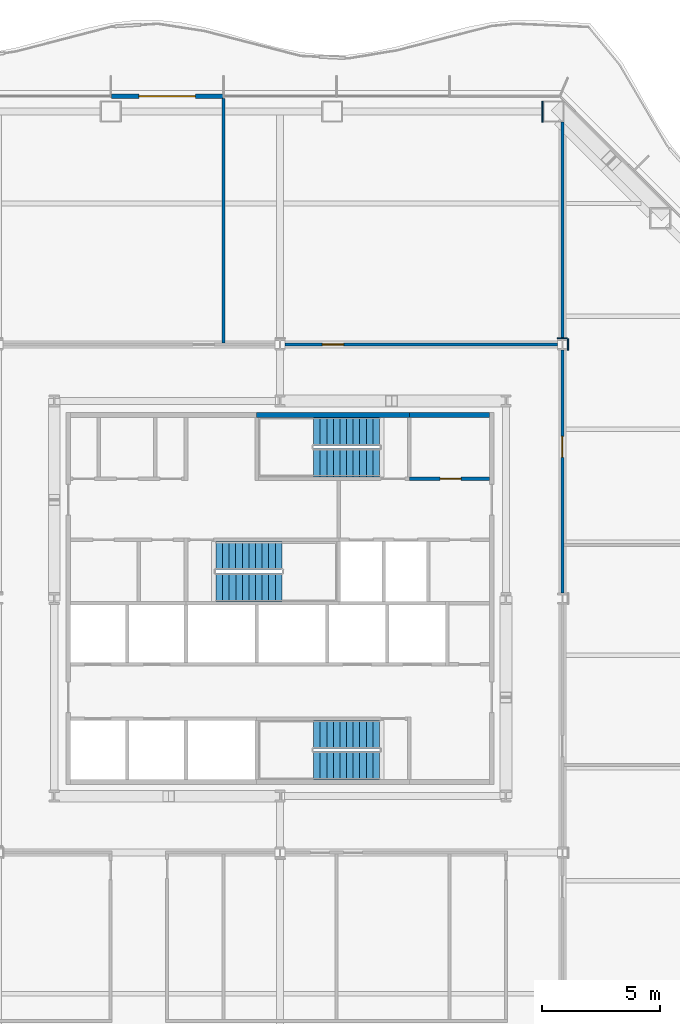
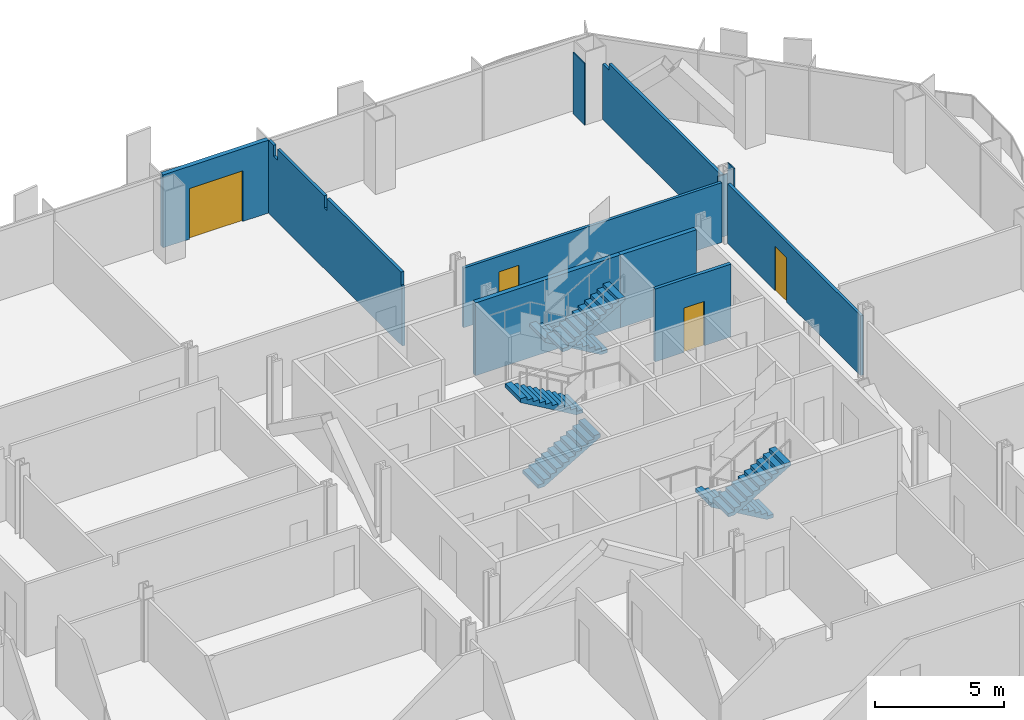
# One storey, part 11 of 17: 11 walls, 6 stair flights, 4 doors, 4 openings, 3 elements without a shape of their own.
"""IFC4 building model written with IfcOpenShell, lengths in metres."""

from ifc_helpers import new_model, si_unit, direction, frame, frame_2d, origin, place, context, subcontext, project, spatial, polyline, rectangle, outline, extrude, material, layer, layer_set, type_object, element, fill, aggregate, save


model = new_model("IFC4")

# Units and contexts
model_context = context("Model", 3, precision=1e-05, world=origin(), true_north=direction((0.0, 1.0)))
body_context = subcontext(model_context, "Body", "Model", "MODEL_VIEW")
ifc_project = project(units=[si_unit("LENGTHUNIT", "METRE"), si_unit("AREAUNIT", "SQUARE_METRE"), si_unit("VOLUMEUNIT", "CUBIC_METRE"), si_unit("PLANEANGLEUNIT", "RADIAN"), si_unit("MASSUNIT", "GRAM", prefix="KILO")], contexts=[model_context])

# Site, building, storey
site_placement = place(None, origin())
site = spatial("IfcSite", under=ifc_project, at=site_placement, CompositionType="ELEMENT")
building_placement = place(site_placement, origin())
building = spatial("IfcBuilding", under=site, at=building_placement, Name="Cairn Pilgrim Tower", CompositionType="ELEMENT")
storey_placement = place(building_placement, frame((0.0, 0.0, 79.800048828125)))
storey = spatial("IfcBuildingStorey", under=building, at=storey_placement, Name="L18", CompositionType="ELEMENT", Elevation=79.800048828125)

# Wall, opening, door
ifc_material_1 = material(Name="Bronze anodised aluminium insulated sandwich panel with mineral wool fill", Category="aluminium")
ifc_layer_1 = layer(ifc_material_1, 0.199951171875)
ifc_layer_set_1 = layer_set([ifc_layer_1], Name="BRONZE INFILL FRAME WALL 200")
wall_type_1 = type_object("IfcWallType", Name="BRONZE INFILL FRAME WALL 200", PredefinedType="NOTDEFINED", material=ifc_layer_set_1)
wall_1_placement = place(storey_placement, frame((4.77001953125, 23.75, 0.0), z_axis=(0.0, 0.0, 1.0), x_axis=(-1.0, 0.0, 0.0)))
wall_1 = element("IfcWall", 1, at=wall_1_placement, inside=storey, type_object=wall_type_1, Name="Bronze infill frame wall IW-N4", PredefinedType="NOTDEFINED", context=body_context, shape_type="SweptSolid", body=[
    extrude(rectangle(XDim=4.739990234375, YDim=0.199951171875, at=frame_2d((2.3701171875, 0.0))), origin(), (0.0, 0.0, 1.0), 3.449951171875),
])
opening_1_placement = place(wall_1_placement, frame((1.169921875, 0.0, 0.0)))
opening_1 = element("IfcOpeningElement", 2, at=opening_1_placement, cuts=wall_1, Name="Opening 1812B", PredefinedType="OPENING", context=body_context, shape_type="SweptSolid", body=[
    extrude(rectangle(XDim=2.39990234375, YDim=2.39990234375, at=frame_2d((1.199951171875, 1.199951171875))), frame((0.0, 0.10986328125, 0.0), z_axis=(0.0, -1.0, 0.0), x_axis=(1.0, 0.0, 0.0)), (0.0, 0.0, 1.0), 0.219970703125),
])
ifc_material_2 = material(Name="Bronze anodised aluminium frame with tinted low-E glass", Category="aluminium")
door_type_1 = type_object("IfcDoorType", Name="BALCONY SLIDING DOOR 2400x2400", OperationType="DOUBLE_DOOR_SLIDING", PredefinedType="DOOR", material=ifc_material_2)
door_1_placement = place(opening_1_placement, origin())
door_1 = element("IfcDoor", 3, at=door_1_placement, inside=storey, type_object=door_type_1, Name="Balcony sliding door 1812B", OperationType="SINGLE_SWING_LEFT", OverallHeight=2.39990234375, OverallWidth=2.39990234375, PredefinedType="DOOR", context=body_context, shape_type="SweptSolid", body=[
    extrude(rectangle(XDim=2.39990234375, YDim=2.39990234375, at=frame_2d((1.199951171875, 1.199951171875))), frame((0.0, 0.02490234375, 0.0), z_axis=(0.0, -1.0, 0.0), x_axis=(1.0, 0.0, 0.0)), (0.0, 0.0, 1.0), 0.050048828125),
])
fill(opening_1, door_1)

# Wall
ifc_material_3 = material(Name="Concrete C32/40", Category="concrete")
ifc_layer_2 = layer(ifc_material_3, 0.199951171875)
ifc_layer_set_2 = layer_set([ifc_layer_2], Name="CORE OUTER WALL 200 EI 120")
wall_type_2 = type_object("IfcWallType", Name="CORE OUTER WALL 200 EI 120", PredefinedType="SOLIDWALL", material=ifc_layer_set_2)
wall_2_placement = place(storey_placement, frame((12.699951171875, 10.199951171875, 0.0), z_axis=(0.0, 0.0, 1.0), x_axis=(1.0, 0.0, 0.0)))
element("IfcWall", 4, at=wall_2_placement, inside=storey, type_object=wall_type_2, Name="CW:L18:H11-3", PredefinedType="SOLIDWALL", context=body_context, shape_type="SweptSolid", body=[
    extrude(rectangle(XDim=3.400146484375, YDim=0.199951171875, at=frame_2d((1.7001953125, 0.0))), origin(), (0.0, 0.0, 1.0), 3.449951171875),
])

# Wall, opening, door
ifc_layer_3 = layer(ifc_material_3, 0.14990234375)
ifc_layer_set_3 = layer_set([ifc_layer_3], Name="CORE SHAFT WALL 150 EI 120")
wall_type_3 = type_object("IfcWallType", Name="CORE SHAFT WALL 150 EI 120", PredefinedType="SOLIDWALL", material=ifc_layer_set_3)
wall_3_placement = place(storey_placement, frame((12.699951171875, 7.5, 0.0), z_axis=(0.0, 0.0, 1.0), x_axis=(1.0, 0.0, 0.0)))
wall_3 = element("IfcWall", 5, at=wall_3_placement, inside=storey, type_object=wall_type_3, Name="CW:L18:H10-2", PredefinedType="SOLIDWALL", context=body_context, shape_type="SweptSolid", body=[
    extrude(rectangle(XDim=3.400146484375, YDim=0.14990234375, at=frame_2d((1.7001953125, 0.0))), origin(), (0.0, 0.0, 1.0), 3.449951171875),
])
opening_2_placement = place(wall_3_placement, frame((1.300048828125, 0.0, 0.0)))
opening_2 = element("IfcOpeningElement", 6, at=opening_2_placement, cuts=wall_3, Name="Opening RD-R4E", PredefinedType="OPENING", context=body_context, shape_type="SweptSolid", body=[
    extrude(rectangle(XDim=0.89990234375, YDim=2.10009765625, at=frame_2d((0.449951171875, 1.050048828125))), frame((0.0, 0.0849609375, 0.0), z_axis=(0.0, -1.0, 0.0), x_axis=(1.0, 0.0, 0.0)), (0.0, 0.0, 1.0), 0.169921875),
])
ifc_material_4 = material(Name="Painted steel", Category="steel")
door_type_2 = type_object("IfcDoorType", Name="SERVICE ROOM DOOR 900x2100", OperationType="SINGLE_SWING_LEFT", PredefinedType="DOOR", material=ifc_material_4)
door_2_placement = place(opening_2_placement, origin())
door_2 = element("IfcDoor", 7, at=door_2_placement, inside=storey, type_object=door_type_2, Name="RD-R4E", OperationType="SINGLE_SWING_LEFT", OverallHeight=2.10009765625, OverallWidth=0.89990234375, PredefinedType="DOOR", context=body_context, shape_type="SweptSolid", body=[
    extrude(rectangle(XDim=0.89990234375, YDim=2.10009765625, at=frame_2d((0.449951171875, 1.050048828125))), frame((0.0, 0.02490234375, 0.0), z_axis=(0.0, -1.0, 0.0), x_axis=(1.0, 0.0, 0.0)), (0.0, 0.0, 1.0), 0.050048828125),
])
fill(opening_2, door_2)

ifc_material_5 = material(Name="Gypsum partition")
ifc_layer_4 = layer(ifc_material_5, 0.125)
ifc_layer_set_4 = layer_set([ifc_layer_4], Name="PARTITION 125 DRYWALL EI 60")
wall_type_4 = type_object("IfcWallType", Name="PARTITION 125 DRYWALL EI 60", PredefinedType="PARTITIONING", material=ifc_layer_set_4)
wall_4_placement = place(storey_placement, frame((19.199951171875, 2.636962890625, 0.0), z_axis=(0.0, 0.0, 1.0), x_axis=(0.0, 1.0, 0.0)))
wall_4 = element("IfcWall", 8, at=wall_4_placement, inside=storey, type_object=wall_type_4, Name="PARTITION W046", PredefinedType="PARTITIONING", context=body_context, shape_type="SweptSolid", body=[
    extrude(rectangle(XDim=10.325927734375, YDim=0.125, at=frame_2d((5.1630859375, 0.0))), origin(), (0.0, 0.0, 1.0), 2.829833984375),
])
opening_3_placement = place(wall_4_placement, frame((5.762939453125, 0.0, 0.0)))
opening_3 = element("IfcOpeningElement", 9, at=opening_3_placement, cuts=wall_4, Name="Opening 1816", PredefinedType="OPENING", context=body_context, shape_type="SweptSolid", body=[
    extrude(rectangle(XDim=0.89990234375, YDim=2.10009765625, at=frame_2d((0.449951171875, 1.050048828125))), frame((0.0, 0.072509765625, 0.0), z_axis=(0.0, -1.0, 0.0), x_axis=(1.0, 0.0, 0.0)), (0.0, 0.0, 1.0), 0.14501953125),
])
ifc_material_6 = material(Name="Steel-faced fire door leaf", Category="steel")
door_type_3 = type_object("IfcDoorType", Name="FIRE DOOR 900x2100 FD30S", OperationType="NOTDEFINED", PredefinedType="DOOR", material=ifc_material_6)
door_3_placement = place(opening_3_placement, frame((0.89990234375, 0.0, 0.0), z_axis=(0.0, 0.0, 1.0), x_axis=(-1.0, 0.0, 0.0)))
door_3 = element("IfcDoor", 10, at=door_3_placement, inside=storey, type_object=door_type_3, Name="DOOR 1816", OperationType="SINGLE_SWING_LEFT", OverallHeight=2.10009765625, OverallWidth=0.89990234375, PredefinedType="DOOR", context=body_context, shape_type="SweptSolid", body=[
    extrude(rectangle(XDim=0.89990234375, YDim=2.10009765625, at=frame_2d((0.449951171875, 1.050048828125))), frame((0.0, 0.02490234375, 0.0), z_axis=(0.0, -1.0, 0.0), x_axis=(1.0, 0.0, 0.0)), (0.0, 0.0, 1.0), 0.050048828125),
])
fill(opening_3, door_3)

wall_5_placement = place(storey_placement, frame((7.412109375, 13.199951171875, 0.0), z_axis=(0.0, 0.0, 1.0), x_axis=(1.0, 0.0, 0.0)))
wall_5 = element("IfcWall", 11, at=wall_5_placement, inside=storey, type_object=wall_type_4, Name="PARTITION W056", PredefinedType="PARTITIONING", context=body_context, shape_type="SweptSolid", body=[
    extrude(rectangle(XDim=11.575927734375, YDim=0.125, at=frame_2d((5.7880859375, 0.0))), origin(), (0.0, 0.0, 1.0), 2.829833984375),
])
opening_4_placement = place(wall_5_placement, frame((1.587890625, 0.0, 0.0)))
opening_4 = element("IfcOpeningElement", 12, at=opening_4_placement, cuts=wall_5, Name="Opening 1813", PredefinedType="OPENING", context=body_context, shape_type="SweptSolid", body=[
    extrude(rectangle(XDim=0.89990234375, YDim=2.10009765625, at=frame_2d((0.449951171875, 1.050048828125))), frame((0.0, 0.072509765625, 0.0), z_axis=(0.0, -1.0, 0.0), x_axis=(1.0, 0.0, 0.0)), (0.0, 0.0, 1.0), 0.14501953125),
])
door_4_placement = place(opening_4_placement, origin())
door_4 = element("IfcDoor", 13, at=door_4_placement, inside=storey, type_object=door_type_3, Name="DOOR 1813", OperationType="SINGLE_SWING_RIGHT", OverallHeight=2.10009765625, OverallWidth=0.89990234375, PredefinedType="DOOR", context=body_context, shape_type="SweptSolid", body=[
    extrude(rectangle(XDim=0.89990234375, YDim=2.10009765625, at=frame_2d((0.449951171875, 1.050048828125))), frame((0.0, 0.02490234375, 0.0), z_axis=(0.0, -1.0, 0.0), x_axis=(1.0, 0.0, 0.0)), (0.0, 0.0, 1.0), 0.050048828125),
])
fill(opening_4, door_4)

# Walls
wall_6_placement = place(storey_placement, frame((4.800048828125, 13.262451171875, 0.0), z_axis=(0.0, 0.0, 1.0), x_axis=(0.0, 1.0, 0.0)))
element("IfcWall", 14, at=wall_6_placement, inside=storey, type_object=wall_type_4, Name="PARTITION W059", PredefinedType="PARTITIONING", context=body_context, shape_type="SweptSolid", body=[
    extrude(outline(polyline([(0.0, 0.0), (10.387451171875, 0.0), (10.387451171875, 3.449951171875), (9.987548828125, 3.449951171875), (9.985595703125, 2.929931640625), (9.6875, 2.929931640625), (9.685546875, 3.449951171875), (6.04248046875, 3.449951171875), (6.04052734375, 2.8798828125), (5.83251953125, 2.8798828125), (5.83056640625, 3.449951171875), (0.08740234375, 3.449951171875), (0.08544921875, 2.829833984375), (0.0, 2.829833984375), (0.0, 0.0)])), frame((0.0, 0.0625, 0.0), z_axis=(0.0, -1.0, 0.0), x_axis=(1.0, 0.0, 0.0)), (0.0, 0.0, 1.0), 0.125),
])
wall_7_placement = place(storey_placement, frame((19.199951171875, 13.43701171875, 0.0), z_axis=(0.0, 0.0, 1.0), x_axis=(0.0, 1.0, 0.0)))
element("IfcWall", 15, at=wall_7_placement, inside=storey, type_object=wall_type_4, Name="PARTITION W061", PredefinedType="PARTITIONING", context=body_context, shape_type="SweptSolid", body=[
    extrude(outline(polyline([(0.0, 0.0), (9.212890625, 0.0), (9.212890625, 2.6298828125), (8.732666015625, 2.6298828125), (8.730712890625, 2.929931640625), (0.0, 2.929931640625), (0.0, 0.0)])), frame((0.0, 0.0625, 0.0), z_axis=(0.0, -1.0, 0.0), x_axis=(1.0, 0.0, 0.0)), (0.0, 0.0, 1.0), 0.125),
])
ifc_layer_5 = layer(ifc_material_5, 0.050048828125)
ifc_layer_set_5 = layer_set([ifc_layer_5], Name="PARTITION 50 DRYWALL EI 60")
wall_type_5 = type_object("IfcWallType", Name="PARTITION 50 DRYWALL EI 60", PredefinedType="PARTITIONING", material=ifc_layer_set_5)
wall_8_placement = place(storey_placement, frame((19.43701171875, 12.962890625, 0.0), z_axis=(0.0, 0.0, 1.0), x_axis=(0.0, 1.0, 0.0)))
element("IfcWall", 16, at=wall_8_placement, inside=storey, type_object=wall_type_5, Name="COLUMN CASING WC05", PredefinedType="PARTITIONING", context=body_context, shape_type="SweptSolid", body=[
    extrude(rectangle(XDim=0.47412109375, YDim=0.050048828125, at=frame_2d((0.237060546875, 0.0))), origin(), (0.0, 0.0, 1.0), 3.449951171875),
])
wall_9_placement = place(storey_placement, frame((18.988037109375, 13.4619140625, 0.0), z_axis=(0.0, 0.0, 1.0), x_axis=(1.0, 0.0, 0.0)))
element("IfcWall", 17, at=wall_9_placement, inside=storey, type_object=wall_type_5, Name="COLUMN CASING WC22", PredefinedType="PARTITIONING", context=body_context, shape_type="SweptSolid", body=[
    extrude(rectangle(XDim=0.424072265625, YDim=0.050048828125, at=frame_2d((0.2119140625, 0.0))), origin(), (0.0, 0.0, 1.0), 2.929931640625),
])
wall_10_placement = place(storey_placement, frame((18.352294921875, 22.64990234375, 0.0), z_axis=(0.0, 0.0, 1.0), x_axis=(0.0, 1.0, 0.0)))
element("IfcWall", 18, at=wall_10_placement, inside=storey, type_object=wall_type_5, Name="COLUMN CASING WC23", PredefinedType="PARTITIONING", context=body_context, shape_type="SweptSolid", body=[
    extrude(rectangle(XDim=0.900146484375, YDim=0.050048828125, at=frame_2d((0.4501953125, 0.0))), origin(), (0.0, 0.0, 1.0), 2.929931640625),
])
ifc_material_7 = material(Name="Concrete C35/45", Category="concrete")
ifc_layer_6 = layer(ifc_material_7, 0.199951171875)
ifc_layer_set_6 = layer_set([ifc_layer_6], Name="STAIR SHAFT WALL 200 EI 120")
wall_type_6 = type_object("IfcWallType", Name="STAIR SHAFT WALL 200 EI 120", PredefinedType="SOLIDWALL", material=ifc_layer_set_6)
wall_11_placement = place(storey_placement, frame((6.199951171875, 10.199951171875, 0.0), z_axis=(0.0, 0.0, 1.0), x_axis=(1.0, 0.0, 0.0)))
element("IfcWall", 19, at=wall_11_placement, inside=storey, type_object=wall_type_6, Name="CW:L18:H11-2", PredefinedType="SOLIDWALL", context=body_context, shape_type="SweptSolid", body=[
    extrude(rectangle(XDim=6.5, YDim=0.199951171875, at=frame_2d((3.25, 0.0))), origin(), (0.0, 0.0, 1.0), 3.449951171875),
])

# Stair, stair flights
stair_type = type_object("IfcStairType", Name="EXIT STAIR 1200", PredefinedType="HALF_TURN_STAIR", material=ifc_material_3)
stair_1_placement = place(storey_placement, origin())
stair_1 = element("IfcStair", 20, at=stair_1_placement, inside=storey, type_object=stair_type, Name="L18 Exit Stair A", PredefinedType="HALF_TURN_STAIR")
stair_flight_type = type_object("IfcStairFlightType", Name="STAIR FLIGHT 1200", PredefinedType="STRAIGHT", material=ifc_material_3)
stair_flight_1_placement = place(storey_placement, frame((11.425048828125, -3.375, 0.0), z_axis=(0.0, 0.0, 1.0), x_axis=(-1.0, 0.0, 0.0)))
stair_flight_1 = element("IfcStairFlight", 21, at=stair_flight_1_placement, type_object=stair_flight_type, Name="ST-A flight 1", NumberOfRisers=11, NumberOfTreads=10, PredefinedType="STRAIGHT", RiserHeight=0.163636364, TreadLength=0.28, context=body_context, shape_type="SweptSolid", body=[
    extrude(outline(polyline([(0.0, 0.0), (0.0, 0.16357421875), (0.280029296875, 0.16357421875), (0.280029296875, 0.327392578125), (0.56005859375, 0.327392578125), (0.56005859375, 0.490966796875), (0.840087890625, 0.490966796875), (0.840087890625, 0.654541015625), (1.1201171875, 0.654541015625), (1.1201171875, 0.818115234375), (1.39990234375, 0.818115234375), (1.39990234375, 0.98193359375), (1.679931640625, 0.98193359375), (1.679931640625, 1.1455078125), (1.9599609375, 1.1455078125), (1.9599609375, 1.30908203125), (2.239990234375, 1.30908203125), (2.239990234375, 1.47265625), (2.52001953125, 1.47265625), (2.52001953125, 1.636474609375), (2.800048828125, 1.636474609375), (2.800048828125, 1.800048828125), (2.800048828125, 1.462646484375), (0.297119140625, 0.0), (0.0, 0.0)])), frame((0.0, 0.60009765625, 0.0), z_axis=(0.0, -1.0, 0.0), x_axis=(1.0, 0.0, 0.0)), (0.0, 0.0, 1.0), 1.199951171875),
])
stair_flight_2_placement = place(storey_placement, frame((8.625, -4.699951171875, 1.800048828125), z_axis=(0.0, 0.0, 1.0), x_axis=(1.0, 0.0, 0.0)))
stair_flight_2 = element("IfcStairFlight", 22, at=stair_flight_2_placement, type_object=stair_flight_type, Name="ST-A flight 2", NumberOfRisers=11, NumberOfTreads=10, PredefinedType="STRAIGHT", RiserHeight=0.163636364, TreadLength=0.28, context=body_context, shape_type="SweptSolid", body=[
    extrude(outline(polyline([(0.0, 0.0), (0.0, 0.16357421875), (0.280029296875, 0.16357421875), (0.280029296875, 0.327392578125), (0.56005859375, 0.327392578125), (0.56005859375, 0.490966796875), (0.840087890625, 0.490966796875), (0.840087890625, 0.654541015625), (1.1201171875, 0.654541015625), (1.1201171875, 0.818115234375), (1.39990234375, 0.818115234375), (1.39990234375, 0.98193359375), (1.679931640625, 0.98193359375), (1.679931640625, 1.1455078125), (1.9599609375, 1.1455078125), (1.9599609375, 1.30908203125), (2.239990234375, 1.30908203125), (2.239990234375, 1.47265625), (2.52001953125, 1.47265625), (2.52001953125, 1.636474609375), (2.800048828125, 1.636474609375), (2.800048828125, 1.800048828125), (2.800048828125, 1.462646484375), (0.297119140625, 0.0), (0.0, 0.0)])), frame((0.0, 0.60009765625, 0.0), z_axis=(0.0, -1.0, 0.0), x_axis=(1.0, 0.0, 0.0)), (0.0, 0.0, 1.0), 1.199951171875),
])
aggregate(stair_1, [stair_flight_1, stair_flight_2])

stair_2_placement = place(storey_placement, origin())
stair_2 = element("IfcStair", 23, at=stair_2_placement, inside=storey, type_object=stair_type, Name="L18 Exit Stair B", PredefinedType="HALF_TURN_STAIR")
stair_flight_3_placement = place(storey_placement, frame((4.47509765625, 2.875, 0.0), z_axis=(0.0, 0.0, 1.0), x_axis=(1.0, 0.0, 0.0)))
stair_flight_3 = element("IfcStairFlight", 24, at=stair_flight_3_placement, type_object=stair_flight_type, Name="ST-B flight 1", NumberOfRisers=11, NumberOfTreads=10, PredefinedType="STRAIGHT", RiserHeight=0.163636364, TreadLength=0.28, context=body_context, shape_type="SweptSolid", body=[
    extrude(outline(polyline([(0.0, 0.0), (0.0, 0.16357421875), (0.280029296875, 0.16357421875), (0.280029296875, 0.327392578125), (0.56005859375, 0.327392578125), (0.56005859375, 0.490966796875), (0.840087890625, 0.490966796875), (0.840087890625, 0.654541015625), (1.1201171875, 0.654541015625), (1.1201171875, 0.818115234375), (1.39990234375, 0.818115234375), (1.39990234375, 0.98193359375), (1.679931640625, 0.98193359375), (1.679931640625, 1.1455078125), (1.9599609375, 1.1455078125), (1.9599609375, 1.30908203125), (2.239990234375, 1.30908203125), (2.239990234375, 1.47265625), (2.52001953125, 1.47265625), (2.52001953125, 1.636474609375), (2.800048828125, 1.636474609375), (2.800048828125, 1.800048828125), (2.800048828125, 1.462646484375), (0.297119140625, 0.0), (0.0, 0.0)])), frame((0.0, 0.60009765625, 0.0), z_axis=(0.0, -1.0, 0.0), x_axis=(1.0, 0.0, 0.0)), (0.0, 0.0, 1.0), 1.199951171875),
])
stair_flight_4_placement = place(storey_placement, frame((7.27490234375, 4.22509765625, 1.800048828125), z_axis=(0.0, 0.0, 1.0), x_axis=(-1.0, 0.0, 0.0)))
stair_flight_4 = element("IfcStairFlight", 25, at=stair_flight_4_placement, type_object=stair_flight_type, Name="ST-B flight 2", NumberOfRisers=11, NumberOfTreads=10, PredefinedType="STRAIGHT", RiserHeight=0.163636364, TreadLength=0.28, context=body_context, shape_type="SweptSolid", body=[
    extrude(outline(polyline([(0.0, 0.0), (0.0, 0.16357421875), (0.280029296875, 0.16357421875), (0.280029296875, 0.327392578125), (0.56005859375, 0.327392578125), (0.56005859375, 0.490966796875), (0.840087890625, 0.490966796875), (0.840087890625, 0.654541015625), (1.1201171875, 0.654541015625), (1.1201171875, 0.818115234375), (1.39990234375, 0.818115234375), (1.39990234375, 0.98193359375), (1.679931640625, 0.98193359375), (1.679931640625, 1.1455078125), (1.9599609375, 1.1455078125), (1.9599609375, 1.30908203125), (2.239990234375, 1.30908203125), (2.239990234375, 1.47265625), (2.52001953125, 1.47265625), (2.52001953125, 1.636474609375), (2.800048828125, 1.636474609375), (2.800048828125, 1.800048828125), (2.800048828125, 1.462646484375), (0.297119140625, 0.0), (0.0, 0.0)])), frame((0.0, 0.60009765625, 0.0), z_axis=(0.0, -1.0, 0.0), x_axis=(1.0, 0.0, 0.0)), (0.0, 0.0, 1.0), 1.199951171875),
])
aggregate(stair_2, [stair_flight_3, stair_flight_4])

stair_3_placement = place(storey_placement, origin())
stair_3 = element("IfcStair", 26, at=stair_3_placement, inside=storey, type_object=stair_type, Name="L18 Exit Stair C", PredefinedType="HALF_TURN_STAIR")
stair_flight_5_placement = place(storey_placement, frame((11.425048828125, 9.5, 0.0), z_axis=(0.0, 0.0, 1.0), x_axis=(-1.0, 0.0, 0.0)))
stair_flight_5 = element("IfcStairFlight", 27, at=stair_flight_5_placement, type_object=stair_flight_type, Name="ST-C flight 1", NumberOfRisers=11, NumberOfTreads=10, PredefinedType="STRAIGHT", RiserHeight=0.163636364, TreadLength=0.28, context=body_context, shape_type="SweptSolid", body=[
    extrude(outline(polyline([(0.0, 0.0), (0.0, 0.16357421875), (0.280029296875, 0.16357421875), (0.280029296875, 0.327392578125), (0.56005859375, 0.327392578125), (0.56005859375, 0.490966796875), (0.840087890625, 0.490966796875), (0.840087890625, 0.654541015625), (1.1201171875, 0.654541015625), (1.1201171875, 0.818115234375), (1.39990234375, 0.818115234375), (1.39990234375, 0.98193359375), (1.679931640625, 0.98193359375), (1.679931640625, 1.1455078125), (1.9599609375, 1.1455078125), (1.9599609375, 1.30908203125), (2.239990234375, 1.30908203125), (2.239990234375, 1.47265625), (2.52001953125, 1.47265625), (2.52001953125, 1.636474609375), (2.800048828125, 1.636474609375), (2.800048828125, 1.800048828125), (2.800048828125, 1.462646484375), (0.297119140625, 0.0), (0.0, 0.0)])), frame((0.0, 0.60009765625, 0.0), z_axis=(0.0, -1.0, 0.0), x_axis=(1.0, 0.0, 0.0)), (0.0, 0.0, 1.0), 1.199951171875),
])
stair_flight_6_placement = place(storey_placement, frame((8.625, 8.175048828125, 1.800048828125), z_axis=(0.0, 0.0, 1.0), x_axis=(1.0, 0.0, 0.0)))
stair_flight_6 = element("IfcStairFlight", 28, at=stair_flight_6_placement, type_object=stair_flight_type, Name="ST-C flight 2", NumberOfRisers=11, NumberOfTreads=10, PredefinedType="STRAIGHT", RiserHeight=0.163636364, TreadLength=0.28, context=body_context, shape_type="SweptSolid", body=[
    extrude(outline(polyline([(0.0, 0.0), (0.0, 0.16357421875), (0.280029296875, 0.16357421875), (0.280029296875, 0.327392578125), (0.56005859375, 0.327392578125), (0.56005859375, 0.490966796875), (0.840087890625, 0.490966796875), (0.840087890625, 0.654541015625), (1.1201171875, 0.654541015625), (1.1201171875, 0.818115234375), (1.39990234375, 0.818115234375), (1.39990234375, 0.98193359375), (1.679931640625, 0.98193359375), (1.679931640625, 1.1455078125), (1.9599609375, 1.1455078125), (1.9599609375, 1.30908203125), (2.239990234375, 1.30908203125), (2.239990234375, 1.47265625), (2.52001953125, 1.47265625), (2.52001953125, 1.636474609375), (2.800048828125, 1.636474609375), (2.800048828125, 1.800048828125), (2.800048828125, 1.462646484375), (0.297119140625, 0.0), (0.0, 0.0)])), frame((0.0, 0.60009765625, 0.0), z_axis=(0.0, -1.0, 0.0), x_axis=(1.0, 0.0, 0.0)), (0.0, 0.0, 1.0), 1.199951171875),
])
aggregate(stair_3, [stair_flight_5, stair_flight_6])

save(model, "model.ifc")
